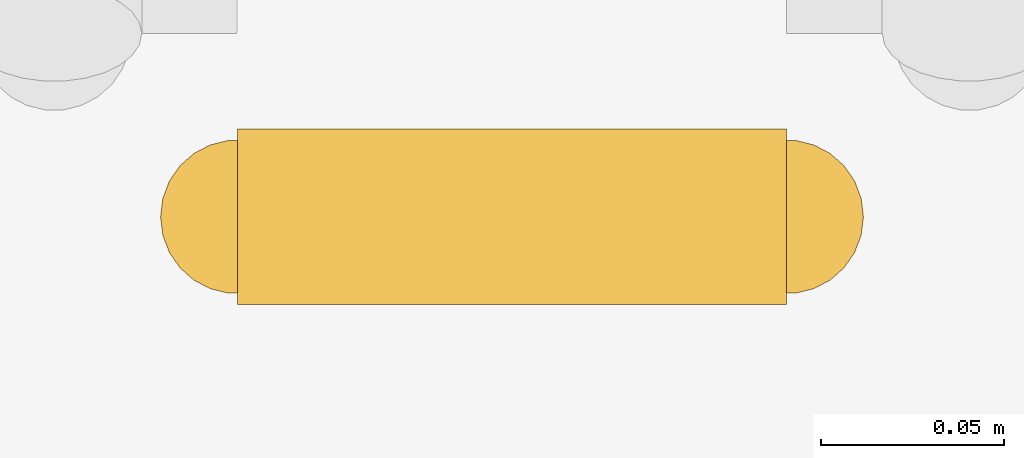
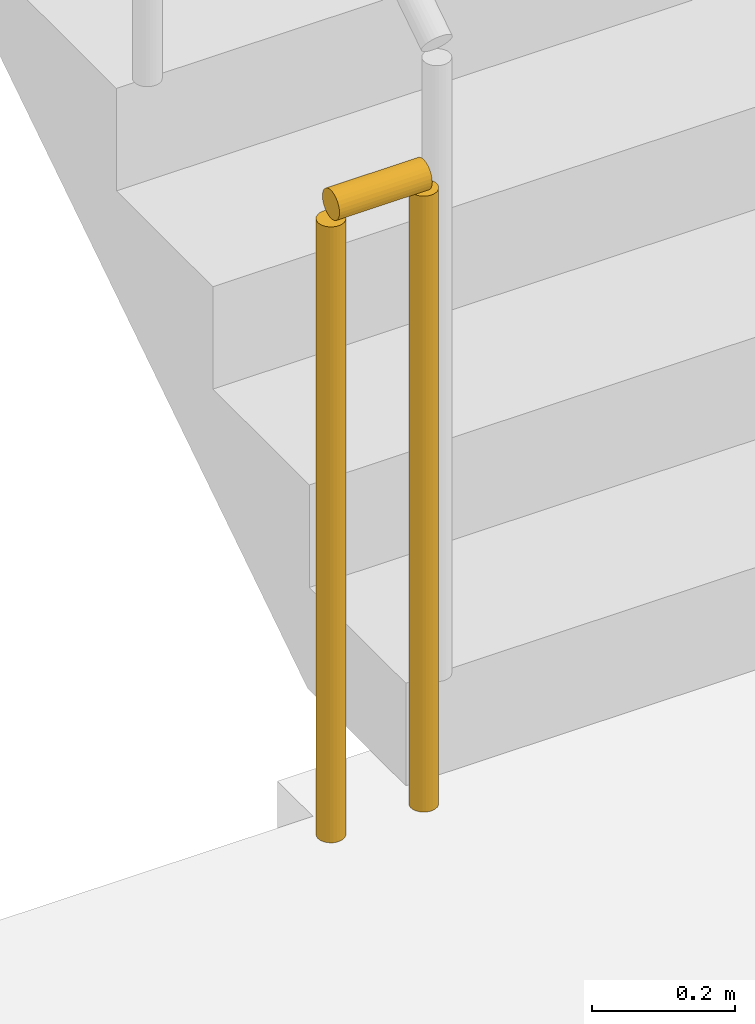
# One storey, part 15 of 20: 1 railing.
"""IFC4 building model written with IfcOpenShell, lengths in metres."""

import ifcopenshell
import ifcopenshell.guid

model = None  # the IFC model being written
_history = None  # IfcOwnerHistory: only IFC2X3 demands one
_inside = {}  # id of a spatial element -> (the spatial element, [elements in it])
_under = {}  # id of a project, library or spatial element -> (it, [spatial elements below it])
_declared = {}  # id of a project -> (the project, [libraries it declares])
_typed = {}  # id of a type object -> (the type object, [elements of that type])
_made_of = {}  # id of a material, layer set ... -> (it, [elements and type objects made of it])


def new_model(schema):
    """Start an empty IFC model of exactly this schema.

    Asked for "IFC4X3", IfcOpenShell would pick the latest addendum, in which some entities
    have other attributes; the version numbers below select the first issue.
    IFC2X3 requires an IfcOwnerHistory on every rooted entity: one is made here for all.
    """
    global model, _history
    if schema == "IFC4X3":
        model = ifcopenshell.file(schema_version=(4, 3, 0, 0))
    else:
        model = ifcopenshell.file(schema=schema)
    _inside.clear()
    _under.clear()
    _declared.clear()
    _typed.clear()
    _made_of.clear()
    _history = None
    if model.schema == "IFC2X3":
        org = make("IfcOrganization", Name="unknown")
        user = make(
            "IfcPersonAndOrganization",
            ThePerson=make("IfcPerson", FamilyName="unknown"),
            TheOrganization=org,
        )
        app = make(
            "IfcApplication",
            ApplicationDeveloper=org,
            Version="unknown",
            ApplicationFullName="unknown",
            ApplicationIdentifier="unknown",
        )
        _history = make(
            "IfcOwnerHistory",
            OwningUser=user,
            OwningApplication=app,
            ChangeAction="ADDED",
            CreationDate=0,
        )
    return model


def make(cls, **values):
    """One entity of the class cls with the attributes given. An attribute that is None is left unset."""
    return model.create_entity(
        cls, **{name: value for name, value in values.items() if value is not None}
    )


def rooted(cls, **values):
    """An entity with a GlobalId (a new one), such as an element, a storey or a relation."""
    return make(cls, GlobalId=ifcopenshell.guid.new(), OwnerHistory=_history, **values)


def si_unit(unit_type, name, prefix=None):
    """IfcSIUnit, for example si_unit("LENGTHUNIT", "METRE", prefix="MILLI")."""
    return make("IfcSIUnit", UnitType=unit_type, Prefix=prefix, Name=name)


def assignment(units):
    """IfcUnitAssignment: the units of a project."""
    return None if units is None else make("IfcUnitAssignment", Units=units)


def point(xyz):
    """IfcCartesianPoint."""
    return None if xyz is None else make("IfcCartesianPoint", Coordinates=xyz)


def direction(xyz):
    """IfcDirection."""
    return None if xyz is None else make("IfcDirection", DirectionRatios=xyz)


def frame(location, z_axis=None, x_axis=None):
    """IfcAxis2Placement3D, a coordinate frame: its origin and axes. An axis left out is left unset."""
    return make(
        "IfcAxis2Placement3D",
        Location=point(location),
        Axis=direction(z_axis),
        RefDirection=direction(x_axis),
    )


def frame_2d(location, x_axis=None):
    """IfcAxis2Placement2D, a coordinate frame in the plane: its origin and x axis."""
    return make(
        "IfcAxis2Placement2D", Location=point(location), RefDirection=direction(x_axis)
    )


def origin():
    """The frame at (0, 0, 0) with its axes left unset."""
    return frame((0.0, 0.0, 0.0))


def origin_2d():
    """The frame at (0, 0) in the plane with its x axis left unset."""
    return frame_2d((0.0, 0.0))


def place(relative_to, where):
    """IfcLocalPlacement: puts the frame where relative to a parent placement (None: the world)."""
    return make(
        "IfcLocalPlacement", PlacementRelTo=relative_to, RelativePlacement=where
    )


def context(
    kind, dimensions, precision=None, world=None, true_north=None, identifier=None
):
    """IfcGeometricRepresentationContext, for example the 3D "Model" context."""
    return make(
        "IfcGeometricRepresentationContext",
        ContextIdentifier=identifier,
        ContextType=kind,
        CoordinateSpaceDimension=dimensions,
        Precision=precision,
        WorldCoordinateSystem=world,
        TrueNorth=true_north,
    )


def subcontext(parent, identifier, kind, view, scale=None):
    """IfcGeometricRepresentationSubContext, for example "Body" below "Model"."""
    return make(
        "IfcGeometricRepresentationSubContext",
        ContextIdentifier=identifier,
        ContextType=kind,
        ParentContext=parent,
        TargetScale=scale,
        TargetView=view,
    )


def project(units=None, contexts=None):
    """IfcProject with its units and contexts."""
    return rooted(
        "IfcProject",
        Name="project",
        RepresentationContexts=contexts,
        UnitsInContext=assignment(units),
    )


def spatial(cls, under=None, at=None, **own):
    """A site, building, storey or space (cls), placed at a placement, below another one or the project."""
    s = rooted(cls, ObjectPlacement=at, **own)
    if under is not None:
        _under.setdefault(under.id(), (under, []))[1].append(s)
    return s


def profile(cls, at=None, kind="AREA", **sizes):
    """A parametric profile (cls). Its sizes go by their IFC names, for example OverallWidth=200.0."""
    return make(cls, ProfileType=kind, Position=at, **sizes)


def circle(**sizes):
    """IfcCircleProfileDef."""
    return profile("IfcCircleProfileDef", **sizes)


def extrude(swept, where, along, depth):
    """IfcExtrudedAreaSolid: the profile swept, set in the frame where, extruded along a direction by depth."""
    return make(
        "IfcExtrudedAreaSolid",
        SweptArea=swept,
        Position=where,
        ExtrudedDirection=direction(along),
        Depth=depth,
    )


def shape(context_of_items, identifier, shape_type, items):
    """IfcShapeRepresentation: the items that make up one representation, for example the "Body"."""
    return make(
        "IfcShapeRepresentation",
        ContextOfItems=context_of_items,
        RepresentationIdentifier=identifier,
        RepresentationType=shape_type,
        Items=items,
    )


def material(Name=None, Category=None):
    """IfcMaterial."""
    return make("IfcMaterial", Name=Name, Category=Category)


def made_of(thing, what):
    """Note that an element or type object is made of a material, layer set ...; save() writes the relation."""
    if what is not None:
        _made_of.setdefault(what.id(), (what, []))[1].append(thing)
    return thing


def type_object(cls, material=None, **own):
    """A type object (cls), such as IfcWallType, which elements share."""
    return made_of(rooted(cls, **own), material)


def element(
    cls,
    number,
    at=None,
    inside=None,
    cuts=None,
    type_object=None,
    material=None,
    context=None,
    identifier="Body",
    shape_type=None,
    held_by="IfcProductDefinitionShape",
    body=None,
    shapes=None,
    **own,
):
    """One element of the class cls, such as IfcWall. Its Tag is "e" and its number.

    at: its placement. inside: the storey or other place that contains it. cuts: it is an
    opening in that element (IfcRelVoidsElement). A single representation is given by context,
    identifier, shape_type and body (its items); several are given by shapes. held_by: the class
    of the entity that holds the representations. save() writes the other relations.
    """
    e = rooted(cls, Tag="e%d" % number, ObjectPlacement=at, **own)
    if body is not None:
        shapes = [shape(context, identifier, shape_type, body)]
    if shapes is not None:
        e.Representation = make(held_by, Representations=shapes)
    if inside is not None:
        _inside.setdefault(inside.id(), (inside, []))[1].append(e)
    if cuts is not None:
        rooted(
            "IfcRelVoidsElement", RelatingBuildingElement=cuts, RelatedOpeningElement=e
        )
    if type_object is not None:
        _typed.setdefault(type_object.id(), (type_object, []))[1].append(e)
    return made_of(e, material)


def aggregate(whole, parts):
    """IfcRelAggregates: a whole, such as a stair, and the parts it consists of."""
    return rooted("IfcRelAggregates", RelatingObject=whole, RelatedObjects=parts)


def save(model, path):
    """Write the relations noted so far, then the file.

    IfcRelAggregates (storeys below a building ...), IfcRelContainedInSpatialStructure (elements
    in a storey), IfcRelDefinesByType, IfcRelAssociatesMaterial and IfcRelDeclares: one each for
    every whole, place, type object, material and project.
    """
    for whole, parts in _under.values():
        aggregate(whole, parts)
    for where, things in _inside.values():
        rooted(
            "IfcRelContainedInSpatialStructure",
            RelatedElements=things,
            RelatingStructure=where,
        )
    for kind, things in _typed.values():
        rooted("IfcRelDefinesByType", RelatedObjects=things, RelatingType=kind)
    for what, things in _made_of.values():
        rooted("IfcRelAssociatesMaterial", RelatedObjects=things, RelatingMaterial=what)
    for by, libraries in _declared.values():
        rooted("IfcRelDeclares", RelatingContext=by, RelatedDefinitions=libraries)
    model.write(path)


model = new_model("IFC4")

# Units and contexts
model_context = context("Model", 3, precision=1e-05, world=origin(), true_north=direction((0.0, 1.0)))
body_context = subcontext(model_context, "Body", "Model", "MODEL_VIEW")
ifc_project = project(units=[si_unit("LENGTHUNIT", "METRE"), si_unit("AREAUNIT", "SQUARE_METRE"), si_unit("VOLUMEUNIT", "CUBIC_METRE"), si_unit("PLANEANGLEUNIT", "RADIAN"), si_unit("MASSUNIT", "GRAM", prefix="KILO")], contexts=[model_context])

# Site, building, storey
site_placement = place(None, origin())
site = spatial("IfcSite", under=ifc_project, at=site_placement, CompositionType="ELEMENT")
building_placement = place(site_placement, origin())
building = spatial("IfcBuilding", under=site, at=building_placement, Name="Saffron Iwan Residences", CompositionType="ELEMENT")
storey_placement = place(building_placement, frame((0.0, 0.0, 143.0)))
storey = spatial("IfcBuildingStorey", under=building, at=storey_placement, Name="L37", CompositionType="ELEMENT", Elevation=143.0)

# Railing
ifc_material = material(Name="Steel S355", Category="steel")
railing_type = type_object("IfcRailingType", Name="Stair guard 1100", PredefinedType="GUARDRAIL", material=ifc_material)
railing_placement = place(storey_placement, frame((31.25, 67.800048828125, 0.0)))
element("IfcRailing", 1, at=railing_placement, inside=storey, type_object=railing_type, Name="L37 ST-W stair guard 2", PredefinedType="GUARDRAIL", context=body_context, shape_type="SweptSolid", body=[
    extrude(circle(Radius=0.02392578125, at=origin_2d()), frame((0.0, 0.0, 1.076171875), z_axis=(-1.0, 0.0, 0.0), x_axis=(0.0, -1.0, 0.0)), (0.0, 0.0, 1.0), 0.14990234375),
    extrude(circle(Radius=0.02099609375, at=origin_2d()), origin(), (0.0, 0.0, 1.0), 1.052001953125),
    extrude(circle(Radius=0.02099609375, at=origin_2d()), frame((-0.14990234375, 0.0, 0.0)), (0.0, 0.0, 1.0), 1.052001953125),
])

save(model, "model.ifc")
